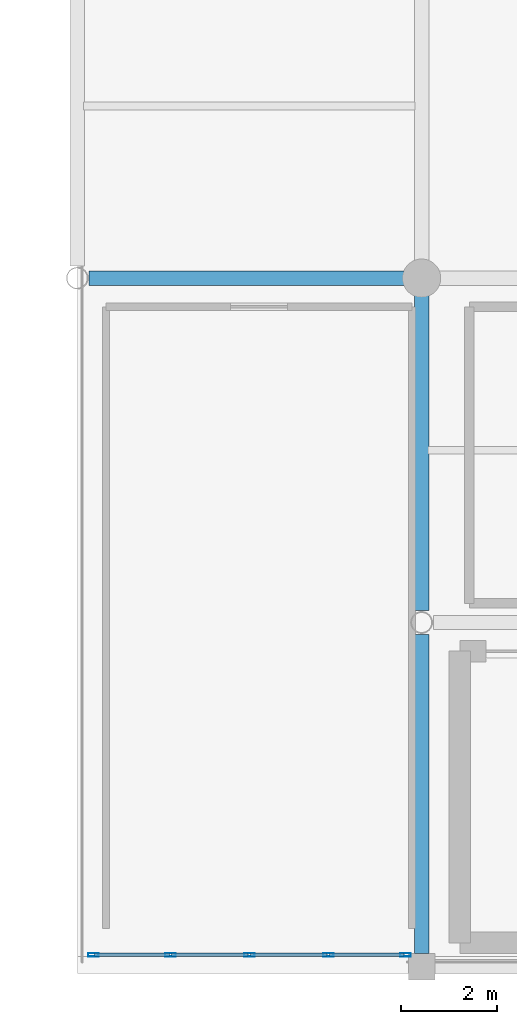
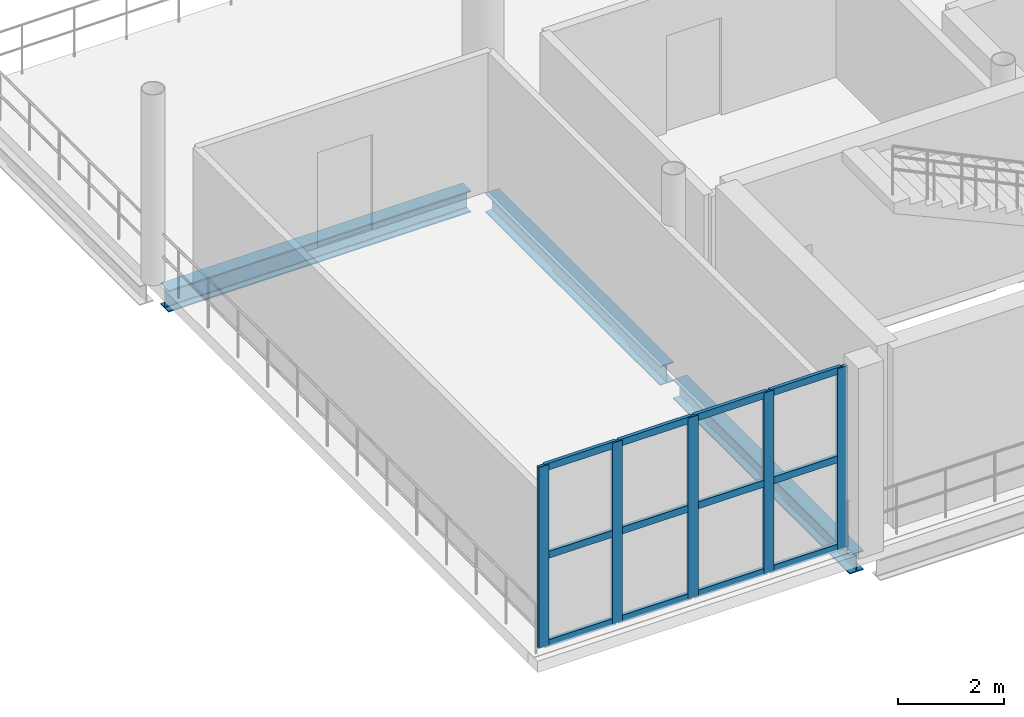
# One storey, part 12 of 81: 17 members, 3 beams, 1 element without a shape of its own.
"""IFC4 building model written with IfcOpenShell, lengths in metres."""

import ifcopenshell
import ifcopenshell.guid

model = None  # the IFC model being written
_history = None  # IfcOwnerHistory: only IFC2X3 demands one
_inside = {}  # id of a spatial element -> (the spatial element, [elements in it])
_under = {}  # id of a project, library or spatial element -> (it, [spatial elements below it])
_declared = {}  # id of a project -> (the project, [libraries it declares])
_typed = {}  # id of a type object -> (the type object, [elements of that type])
_made_of = {}  # id of a material, layer set ... -> (it, [elements and type objects made of it])


def new_model(schema):
    """Start an empty IFC model of exactly this schema.

    Asked for "IFC4X3", IfcOpenShell would pick the latest addendum, in which some entities
    have other attributes; the version numbers below select the first issue.
    IFC2X3 requires an IfcOwnerHistory on every rooted entity: one is made here for all.
    """
    global model, _history
    if schema == "IFC4X3":
        model = ifcopenshell.file(schema_version=(4, 3, 0, 0))
    else:
        model = ifcopenshell.file(schema=schema)
    _inside.clear()
    _under.clear()
    _declared.clear()
    _typed.clear()
    _made_of.clear()
    _history = None
    if model.schema == "IFC2X3":
        org = make("IfcOrganization", Name="unknown")
        user = make(
            "IfcPersonAndOrganization",
            ThePerson=make("IfcPerson", FamilyName="unknown"),
            TheOrganization=org,
        )
        app = make(
            "IfcApplication",
            ApplicationDeveloper=org,
            Version="unknown",
            ApplicationFullName="unknown",
            ApplicationIdentifier="unknown",
        )
        _history = make(
            "IfcOwnerHistory",
            OwningUser=user,
            OwningApplication=app,
            ChangeAction="ADDED",
            CreationDate=0,
        )
    return model


def make(cls, **values):
    """One entity of the class cls with the attributes given. An attribute that is None is left unset."""
    return model.create_entity(
        cls, **{name: value for name, value in values.items() if value is not None}
    )


def rooted(cls, **values):
    """An entity with a GlobalId (a new one), such as an element, a storey or a relation."""
    return make(cls, GlobalId=ifcopenshell.guid.new(), OwnerHistory=_history, **values)


def si_unit(unit_type, name, prefix=None):
    """IfcSIUnit, for example si_unit("LENGTHUNIT", "METRE", prefix="MILLI")."""
    return make("IfcSIUnit", UnitType=unit_type, Prefix=prefix, Name=name)


def assignment(units):
    """IfcUnitAssignment: the units of a project."""
    return None if units is None else make("IfcUnitAssignment", Units=units)


def point(xyz):
    """IfcCartesianPoint."""
    return None if xyz is None else make("IfcCartesianPoint", Coordinates=xyz)


def direction(xyz):
    """IfcDirection."""
    return None if xyz is None else make("IfcDirection", DirectionRatios=xyz)


def frame(location, z_axis=None, x_axis=None):
    """IfcAxis2Placement3D, a coordinate frame: its origin and axes. An axis left out is left unset."""
    return make(
        "IfcAxis2Placement3D",
        Location=point(location),
        Axis=direction(z_axis),
        RefDirection=direction(x_axis),
    )


def frame_2d(location, x_axis=None):
    """IfcAxis2Placement2D, a coordinate frame in the plane: its origin and x axis."""
    return make(
        "IfcAxis2Placement2D", Location=point(location), RefDirection=direction(x_axis)
    )


def origin():
    """The frame at (0, 0, 0) with its axes left unset."""
    return frame((0.0, 0.0, 0.0))


def origin_2d():
    """The frame at (0, 0) in the plane with its x axis left unset."""
    return frame_2d((0.0, 0.0))


def place(relative_to, where):
    """IfcLocalPlacement: puts the frame where relative to a parent placement (None: the world)."""
    return make(
        "IfcLocalPlacement", PlacementRelTo=relative_to, RelativePlacement=where
    )


def context(
    kind, dimensions, precision=None, world=None, true_north=None, identifier=None
):
    """IfcGeometricRepresentationContext, for example the 3D "Model" context."""
    return make(
        "IfcGeometricRepresentationContext",
        ContextIdentifier=identifier,
        ContextType=kind,
        CoordinateSpaceDimension=dimensions,
        Precision=precision,
        WorldCoordinateSystem=world,
        TrueNorth=true_north,
    )


def subcontext(parent, identifier, kind, view, scale=None):
    """IfcGeometricRepresentationSubContext, for example "Body" below "Model"."""
    return make(
        "IfcGeometricRepresentationSubContext",
        ContextIdentifier=identifier,
        ContextType=kind,
        ParentContext=parent,
        TargetScale=scale,
        TargetView=view,
    )


def project(units=None, contexts=None):
    """IfcProject with its units and contexts."""
    return rooted(
        "IfcProject",
        Name="project",
        RepresentationContexts=contexts,
        UnitsInContext=assignment(units),
    )


def spatial(cls, under=None, at=None, **own):
    """A site, building, storey or space (cls), placed at a placement, below another one or the project."""
    s = rooted(cls, ObjectPlacement=at, **own)
    if under is not None:
        _under.setdefault(under.id(), (under, []))[1].append(s)
    return s


def profile(cls, at=None, kind="AREA", **sizes):
    """A parametric profile (cls). Its sizes go by their IFC names, for example OverallWidth=200.0."""
    return make(cls, ProfileType=kind, Position=at, **sizes)


def hollow_rectangle(**sizes):
    """IfcRectangleHollowProfileDef."""
    return profile("IfcRectangleHollowProfileDef", **sizes)


def i_section(**sizes):
    """IfcIShapeProfileDef."""
    return profile("IfcIShapeProfileDef", **sizes)


def extrude(swept, where, along, depth):
    """IfcExtrudedAreaSolid: the profile swept, set in the frame where, extruded along a direction by depth."""
    return make(
        "IfcExtrudedAreaSolid",
        SweptArea=swept,
        Position=where,
        ExtrudedDirection=direction(along),
        Depth=depth,
    )


def shape(context_of_items, identifier, shape_type, items):
    """IfcShapeRepresentation: the items that make up one representation, for example the "Body"."""
    return make(
        "IfcShapeRepresentation",
        ContextOfItems=context_of_items,
        RepresentationIdentifier=identifier,
        RepresentationType=shape_type,
        Items=items,
    )


def material(Name=None, Category=None):
    """IfcMaterial."""
    return make("IfcMaterial", Name=Name, Category=Category)


def material_profile(
    of_material, cross_section, Name=None, Category=None, Priority=None
):
    """IfcMaterialProfile: a cross section and its material."""
    return make(
        "IfcMaterialProfile",
        Name=Name,
        Material=of_material,
        Profile=cross_section,
        Priority=Priority,
        Category=Category,
    )


def profile_set(profiles, Name=None, composite=None):
    """IfcMaterialProfileSet."""
    return make(
        "IfcMaterialProfileSet",
        Name=Name,
        MaterialProfiles=profiles,
        CompositeProfile=composite,
    )


def made_of(thing, what):
    """Note that an element or type object is made of a material, layer set ...; save() writes the relation."""
    if what is not None:
        _made_of.setdefault(what.id(), (what, []))[1].append(thing)
    return thing


def type_object(cls, material=None, **own):
    """A type object (cls), such as IfcWallType, which elements share."""
    return made_of(rooted(cls, **own), material)


def element(
    cls,
    number,
    at=None,
    inside=None,
    cuts=None,
    type_object=None,
    material=None,
    context=None,
    identifier="Body",
    shape_type=None,
    held_by="IfcProductDefinitionShape",
    body=None,
    shapes=None,
    **own,
):
    """One element of the class cls, such as IfcWall. Its Tag is "e" and its number.

    at: its placement. inside: the storey or other place that contains it. cuts: it is an
    opening in that element (IfcRelVoidsElement). A single representation is given by context,
    identifier, shape_type and body (its items); several are given by shapes. held_by: the class
    of the entity that holds the representations. save() writes the other relations.
    """
    e = rooted(cls, Tag="e%d" % number, ObjectPlacement=at, **own)
    if body is not None:
        shapes = [shape(context, identifier, shape_type, body)]
    if shapes is not None:
        e.Representation = make(held_by, Representations=shapes)
    if inside is not None:
        _inside.setdefault(inside.id(), (inside, []))[1].append(e)
    if cuts is not None:
        rooted(
            "IfcRelVoidsElement", RelatingBuildingElement=cuts, RelatedOpeningElement=e
        )
    if type_object is not None:
        _typed.setdefault(type_object.id(), (type_object, []))[1].append(e)
    return made_of(e, material)


def aggregate(whole, parts):
    """IfcRelAggregates: a whole, such as a stair, and the parts it consists of."""
    return rooted("IfcRelAggregates", RelatingObject=whole, RelatedObjects=parts)


def save(model, path):
    """Write the relations noted so far, then the file.

    IfcRelAggregates (storeys below a building ...), IfcRelContainedInSpatialStructure (elements
    in a storey), IfcRelDefinesByType, IfcRelAssociatesMaterial and IfcRelDeclares: one each for
    every whole, place, type object, material and project.
    """
    for whole, parts in _under.values():
        aggregate(whole, parts)
    for where, things in _inside.values():
        rooted(
            "IfcRelContainedInSpatialStructure",
            RelatedElements=things,
            RelatingStructure=where,
        )
    for kind, things in _typed.values():
        rooted("IfcRelDefinesByType", RelatedObjects=things, RelatingType=kind)
    for what, things in _made_of.values():
        rooted("IfcRelAssociatesMaterial", RelatedObjects=things, RelatingMaterial=what)
    for by, libraries in _declared.values():
        rooted("IfcRelDeclares", RelatingContext=by, RelatedDefinitions=libraries)
    model.write(path)


model = new_model("IFC4")

# Units and contexts
model_context = context("Model", 3, precision=1e-05, world=origin(), true_north=direction((0.0, 1.0)))
body_context = subcontext(model_context, "Body", "Model", "MODEL_VIEW")
ifc_project = project(units=[si_unit("LENGTHUNIT", "METRE"), si_unit("AREAUNIT", "SQUARE_METRE"), si_unit("VOLUMEUNIT", "CUBIC_METRE"), si_unit("PLANEANGLEUNIT", "RADIAN"), si_unit("MASSUNIT", "GRAM", prefix="KILO")], contexts=[model_context])

# Site, building, storey
site_placement = place(None, origin())
site = spatial("IfcSite", under=ifc_project, at=site_placement, CompositionType="ELEMENT")
building_placement = place(site_placement, origin())
building = spatial("IfcBuilding", under=site, at=building_placement, Name="Qandorah Velis Arena", CompositionType="ELEMENT")
storey_placement = place(building_placement, frame((0.0, 0.0, 18.60009765625)))
storey = spatial("IfcBuildingStorey", under=building, at=storey_placement, Name="L04", CompositionType="ELEMENT", Elevation=18.60009765625)

# Curtain wall, members
ifc_material_1 = material(Name="Solar-control low-E double glazing", Category="glass")
curtain_wall_type = type_object("IfcCurtainWallType", Name="ARC-CW-SYS01", PredefinedType="USERDEFINED", material=ifc_material_1)
curtain_wall_placement = place(storey_placement, origin())
curtain_wall = element("IfcCurtainWall", 1, at=curtain_wall_placement, inside=storey, type_object=curtain_wall_type, Name="Unitised curtain wall L04-073", ObjectType="UNITISED CURTAIN WALL", PredefinedType="USERDEFINED")
ifc_material_2 = material(Name="Champagne-bronze anodized aluminium 6063-T6", Category="aluminium")
ifc_material_profile_1 = material_profile(ifc_material_2, hollow_rectangle(XDim=0.074951171875, YDim=0.219970703125, WallThickness=0.00390625, at=origin_2d()), Name="ALU MULLION 75x220")
ifc_profile_set_1 = profile_set([ifc_material_profile_1], Name="Champagne-bronze anodized aluminium 6063-T6")
member_type_1 = type_object("IfcMemberType", Name="ARC-CWM-220", PredefinedType="MULLION", material=ifc_profile_set_1)
member_1_placement = place(storey_placement, frame((21.9375, 0.25, -0.01513671875), z_axis=(0.0, 0.0, 1.0), x_axis=(0.0, 1.0, 0.0)))
member_1 = element("IfcMember", 2, at=member_1_placement, type_object=member_type_1, Name="CW01 mullion 1", PredefinedType="MULLION", context=body_context, shape_type="SweptSolid", body=[
    extrude(hollow_rectangle(XDim=0.074951171875, YDim=0.219970703125, WallThickness=0.00390625, at=origin_2d()), origin(), (0.0, 0.0, 1.0), 4.179931640625),
])
member_2_placement = place(storey_placement, frame((23.550048828125, 0.25, -0.01513671875), z_axis=(0.0, 0.0, 1.0), x_axis=(0.0, 1.0, 0.0)))
member_2 = element("IfcMember", 3, at=member_2_placement, type_object=member_type_1, Name="CW01 mullion 2", PredefinedType="MULLION", context=body_context, shape_type="SweptSolid", body=[
    extrude(hollow_rectangle(XDim=0.074951171875, YDim=0.219970703125, WallThickness=0.00390625, at=origin_2d()), origin(), (0.0, 0.0, 1.0), 4.179931640625),
])
member_3_placement = place(storey_placement, frame((25.199951171875, 0.25, -0.01513671875), z_axis=(0.0, 0.0, 1.0), x_axis=(0.0, 1.0, 0.0)))
member_3 = element("IfcMember", 4, at=member_3_placement, type_object=member_type_1, Name="CW01 mullion 3", PredefinedType="MULLION", context=body_context, shape_type="SweptSolid", body=[
    extrude(hollow_rectangle(XDim=0.074951171875, YDim=0.219970703125, WallThickness=0.00390625, at=origin_2d()), origin(), (0.0, 0.0, 1.0), 4.179931640625),
])
member_4_placement = place(storey_placement, frame((26.85009765625, 0.25, -0.01513671875), z_axis=(0.0, 0.0, 1.0), x_axis=(0.0, 1.0, 0.0)))
member_4 = element("IfcMember", 5, at=member_4_placement, type_object=member_type_1, Name="CW01 mullion 4", PredefinedType="MULLION", context=body_context, shape_type="SweptSolid", body=[
    extrude(hollow_rectangle(XDim=0.074951171875, YDim=0.219970703125, WallThickness=0.00390625, at=origin_2d()), origin(), (0.0, 0.0, 1.0), 4.179931640625),
])
member_5_placement = place(storey_placement, frame((28.46240234375, 0.25, -0.01513671875), z_axis=(0.0, 0.0, 1.0), x_axis=(0.0, 1.0, 0.0)))
member_5 = element("IfcMember", 6, at=member_5_placement, type_object=member_type_1, Name="CW01 mullion 5", PredefinedType="MULLION", context=body_context, shape_type="SweptSolid", body=[
    extrude(hollow_rectangle(XDim=0.074951171875, YDim=0.219970703125, WallThickness=0.00390625, at=origin_2d()), origin(), (0.0, 0.0, 1.0), 4.179931640625),
])
ifc_material_profile_2 = material_profile(ifc_material_2, hollow_rectangle(XDim=0.074951171875, YDim=0.159912109375, WallThickness=0.00341796875, at=origin_2d()), Name="ALU TRANSOM 75x160")
ifc_profile_set_2 = profile_set([ifc_material_profile_2], Name="Champagne-bronze anodized aluminium 6063-T6")
member_type_2 = type_object("IfcMemberType", Name="ARC-CWT-160", PredefinedType="USERDEFINED", material=ifc_profile_set_2)
member_6_placement = place(storey_placement, frame((21.962890625, 0.25, 0.037353515625), z_axis=(1.0, 0.0, 0.0), x_axis=(0.0, 1.0, 0.0)))
member_6 = element("IfcMember", 7, at=member_6_placement, type_object=member_type_2, Name="CW01 transom 1.1", ObjectType="TRANSOM", PredefinedType="USERDEFINED", context=body_context, shape_type="SweptSolid", body=[
    extrude(hollow_rectangle(XDim=0.074951171875, YDim=0.159912109375, WallThickness=0.00341796875, at=origin_2d()), origin(), (0.0, 0.0, 1.0), 1.5615234375),
])
member_7_placement = place(storey_placement, frame((21.962890625, 0.25, 2.074951171875), z_axis=(1.0, 0.0, 0.0), x_axis=(0.0, 1.0, 0.0)))
member_7 = element("IfcMember", 8, at=member_7_placement, type_object=member_type_2, Name="CW01 transom 1.2", ObjectType="TRANSOM", PredefinedType="USERDEFINED", context=body_context, shape_type="SweptSolid", body=[
    extrude(hollow_rectangle(XDim=0.074951171875, YDim=0.159912109375, WallThickness=0.00341796875, at=origin_2d()), origin(), (0.0, 0.0, 1.0), 1.5615234375),
])
member_8_placement = place(storey_placement, frame((21.962890625, 0.25, 4.1123046875), z_axis=(1.0, 0.0, 0.0), x_axis=(0.0, 1.0, 0.0)))
member_8 = element("IfcMember", 9, at=member_8_placement, type_object=member_type_2, Name="CW01 transom 1.3", ObjectType="TRANSOM", PredefinedType="USERDEFINED", context=body_context, shape_type="SweptSolid", body=[
    extrude(hollow_rectangle(XDim=0.074951171875, YDim=0.159912109375, WallThickness=0.00341796875, at=origin_2d()), origin(), (0.0, 0.0, 1.0), 1.5615234375),
])
member_9_placement = place(storey_placement, frame((23.575439453125, 0.25, 0.037353515625), z_axis=(1.0, 0.0, 0.0), x_axis=(0.0, 1.0, 0.0)))
member_9 = element("IfcMember", 10, at=member_9_placement, type_object=member_type_2, Name="CW01 transom 2.1", ObjectType="TRANSOM", PredefinedType="USERDEFINED", context=body_context, shape_type="SweptSolid", body=[
    extrude(hollow_rectangle(XDim=0.074951171875, YDim=0.159912109375, WallThickness=0.00341796875, at=origin_2d()), origin(), (0.0, 0.0, 1.0), 1.59912109375),
])
member_10_placement = place(storey_placement, frame((23.575439453125, 0.25, 2.074951171875), z_axis=(1.0, 0.0, 0.0), x_axis=(0.0, 1.0, 0.0)))
member_10 = element("IfcMember", 11, at=member_10_placement, type_object=member_type_2, Name="CW01 transom 2.2", ObjectType="TRANSOM", PredefinedType="USERDEFINED", context=body_context, shape_type="SweptSolid", body=[
    extrude(hollow_rectangle(XDim=0.074951171875, YDim=0.159912109375, WallThickness=0.00341796875, at=origin_2d()), origin(), (0.0, 0.0, 1.0), 1.59912109375),
])
member_11_placement = place(storey_placement, frame((23.575439453125, 0.25, 4.1123046875), z_axis=(1.0, 0.0, 0.0), x_axis=(0.0, 1.0, 0.0)))
member_11 = element("IfcMember", 12, at=member_11_placement, type_object=member_type_2, Name="CW01 transom 2.3", ObjectType="TRANSOM", PredefinedType="USERDEFINED", context=body_context, shape_type="SweptSolid", body=[
    extrude(hollow_rectangle(XDim=0.074951171875, YDim=0.159912109375, WallThickness=0.00341796875, at=origin_2d()), origin(), (0.0, 0.0, 1.0), 1.59912109375),
])
member_12_placement = place(storey_placement, frame((25.2255859375, 0.25, 0.037353515625), z_axis=(1.0, 0.0, 0.0), x_axis=(0.0, 1.0, 0.0)))
member_12 = element("IfcMember", 13, at=member_12_placement, type_object=member_type_2, Name="CW01 transom 3.1", ObjectType="TRANSOM", PredefinedType="USERDEFINED", context=body_context, shape_type="SweptSolid", body=[
    extrude(hollow_rectangle(XDim=0.074951171875, YDim=0.159912109375, WallThickness=0.00341796875, at=origin_2d()), origin(), (0.0, 0.0, 1.0), 1.598876953125),
])
member_13_placement = place(storey_placement, frame((25.2255859375, 0.25, 2.074951171875), z_axis=(1.0, 0.0, 0.0), x_axis=(0.0, 1.0, 0.0)))
member_13 = element("IfcMember", 14, at=member_13_placement, type_object=member_type_2, Name="CW01 transom 3.2", ObjectType="TRANSOM", PredefinedType="USERDEFINED", context=body_context, shape_type="SweptSolid", body=[
    extrude(hollow_rectangle(XDim=0.074951171875, YDim=0.159912109375, WallThickness=0.00341796875, at=origin_2d()), origin(), (0.0, 0.0, 1.0), 1.598876953125),
])
member_14_placement = place(storey_placement, frame((25.2255859375, 0.25, 4.1123046875), z_axis=(1.0, 0.0, 0.0), x_axis=(0.0, 1.0, 0.0)))
member_14 = element("IfcMember", 15, at=member_14_placement, type_object=member_type_2, Name="CW01 transom 3.3", ObjectType="TRANSOM", PredefinedType="USERDEFINED", context=body_context, shape_type="SweptSolid", body=[
    extrude(hollow_rectangle(XDim=0.074951171875, YDim=0.159912109375, WallThickness=0.00341796875, at=origin_2d()), origin(), (0.0, 0.0, 1.0), 1.598876953125),
])
member_15_placement = place(storey_placement, frame((26.87548828125, 0.25, 0.037353515625), z_axis=(1.0, 0.0, 0.0), x_axis=(0.0, 1.0, 0.0)))
member_15 = element("IfcMember", 16, at=member_15_placement, type_object=member_type_2, Name="CW01 transom 4.1", ObjectType="TRANSOM", PredefinedType="USERDEFINED", context=body_context, shape_type="SweptSolid", body=[
    extrude(hollow_rectangle(XDim=0.074951171875, YDim=0.159912109375, WallThickness=0.00341796875, at=origin_2d()), origin(), (0.0, 0.0, 1.0), 1.5615234375),
])
member_16_placement = place(storey_placement, frame((26.87548828125, 0.25, 2.074951171875), z_axis=(1.0, 0.0, 0.0), x_axis=(0.0, 1.0, 0.0)))
member_16 = element("IfcMember", 17, at=member_16_placement, type_object=member_type_2, Name="CW01 transom 4.2", ObjectType="TRANSOM", PredefinedType="USERDEFINED", context=body_context, shape_type="SweptSolid", body=[
    extrude(hollow_rectangle(XDim=0.074951171875, YDim=0.159912109375, WallThickness=0.00341796875, at=origin_2d()), origin(), (0.0, 0.0, 1.0), 1.5615234375),
])
member_17_placement = place(storey_placement, frame((26.87548828125, 0.25, 4.1123046875), z_axis=(1.0, 0.0, 0.0), x_axis=(0.0, 1.0, 0.0)))
member_17 = element("IfcMember", 18, at=member_17_placement, type_object=member_type_2, Name="CW01 transom 4.3", ObjectType="TRANSOM", PredefinedType="USERDEFINED", context=body_context, shape_type="SweptSolid", body=[
    extrude(hollow_rectangle(XDim=0.074951171875, YDim=0.159912109375, WallThickness=0.00341796875, at=origin_2d()), origin(), (0.0, 0.0, 1.0), 1.5615234375),
])
aggregate(curtain_wall, [member_1, member_2, member_3, member_4, member_5, member_6, member_7, member_8, member_9, member_10, member_11, member_12, member_13, member_14, member_15, member_16, member_17])

# Beams
ifc_material_3 = material(Name="Steel S355", Category="steel")
ifc_material_profile_3 = material_profile(ifc_material_3, i_section(OverallWidth=0.300048828125, OverallDepth=0.449951171875, WebThickness=0.013916015625, FlangeThickness=0.02587890625, FilletRadius=0.027099609375, at=origin_2d()), Name="HEB 450")
ifc_profile_set_3 = profile_set([ifc_material_profile_3], Name="Steel S355")
beam_type_1 = type_object("IfcBeamType", Name="STR-BM-HEB450", PredefinedType="BEAM", material=ifc_profile_set_3)
beam_1_placement = place(storey_placement, frame((28.800048828125, 0.27490234375, -0.4951171875), z_axis=(0.0, 1.0, 0.0), x_axis=(-1.0, 0.0, 0.0)))
element("IfcBeam", 19, at=beam_1_placement, inside=storey, type_object=beam_type_1, Name="Primary floor girder L04 Y-196", PredefinedType="BEAM", context=body_context, shape_type="SweptSolid", body=[
    extrude(i_section(OverallWidth=0.300048828125, OverallDepth=0.449951171875, WebThickness=0.013916015625, FlangeThickness=0.02587890625, FilletRadius=0.027099609375, at=origin_2d()), origin(), (0.0, 0.0, 1.0), 6.675048828125),
])
beam_2_placement = place(storey_placement, frame((28.800048828125, 7.449951171875, -0.4951171875), z_axis=(0.0, 1.0, 0.0), x_axis=(-1.0, 0.0, 0.0)))
element("IfcBeam", 20, at=beam_2_placement, inside=storey, type_object=beam_type_1, Name="Primary floor girder L04 Y-197", PredefinedType="BEAM", context=body_context, shape_type="SweptSolid", body=[
    extrude(i_section(OverallWidth=0.300048828125, OverallDepth=0.449951171875, WebThickness=0.013916015625, FlangeThickness=0.02587890625, FilletRadius=0.027099609375, at=origin_2d()), origin(), (0.0, 0.0, 1.0), 6.60009765625),
])
ifc_material_profile_4 = material_profile(ifc_material_3, i_section(OverallWidth=0.300048828125, OverallDepth=0.5, WebThickness=0.014404296875, FlangeThickness=0.028076171875, FilletRadius=0.027099609375, at=origin_2d()), Name="HEB 500")
ifc_profile_set_4 = profile_set([ifc_material_profile_4], Name="Steel S355")
beam_type_2 = type_object("IfcBeamType", Name="STR-BM-HEB500", PredefinedType="BEAM", material=ifc_profile_set_4)
beam_3_placement = place(storey_placement, frame((21.85009765625, 14.39990234375, -0.52001953125), z_axis=(1.0, 0.0, 0.0), x_axis=(0.0, 1.0, 0.0)))
element("IfcBeam", 21, at=beam_3_placement, inside=storey, type_object=beam_type_2, Name="Primary floor girder L04 X-025", PredefinedType="BEAM", context=body_context, shape_type="SweptSolid", body=[
    extrude(i_section(OverallWidth=0.300048828125, OverallDepth=0.5, WebThickness=0.014404296875, FlangeThickness=0.028076171875, FilletRadius=0.027099609375, at=origin_2d()), origin(), (0.0, 0.0, 1.0), 6.599853515625),
])

save(model, "model.ifc")
